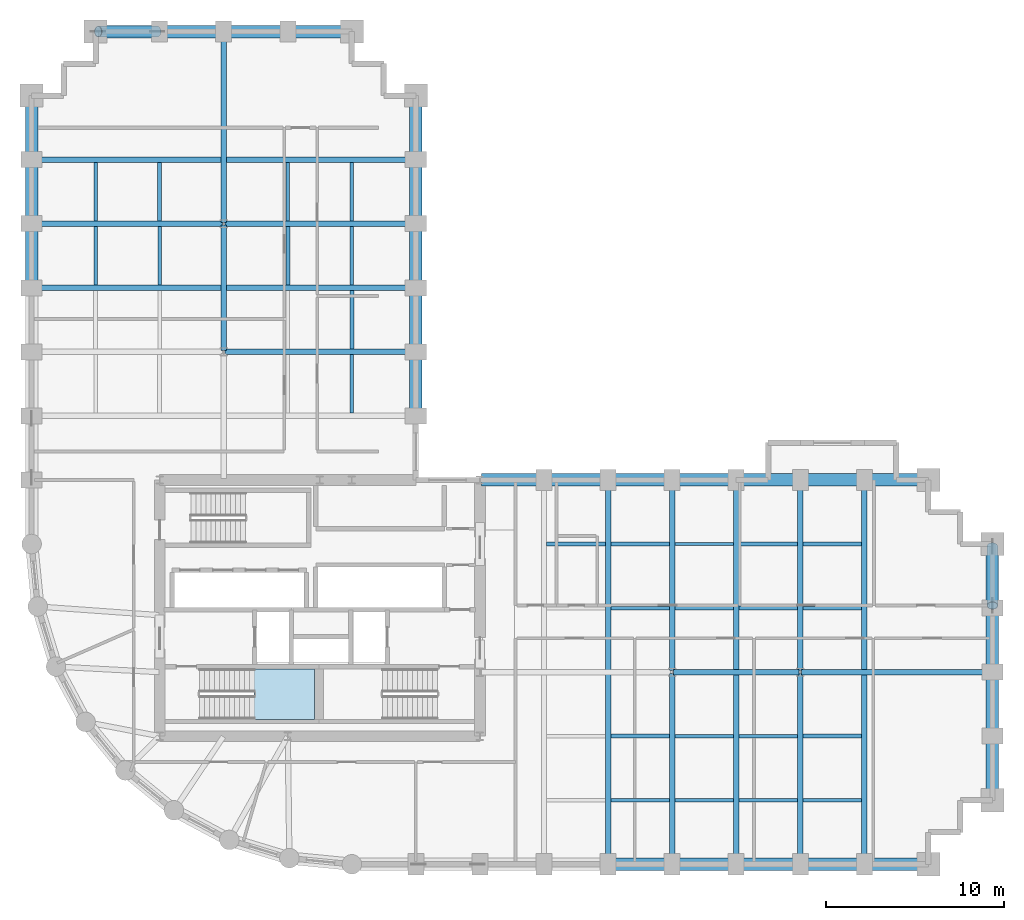
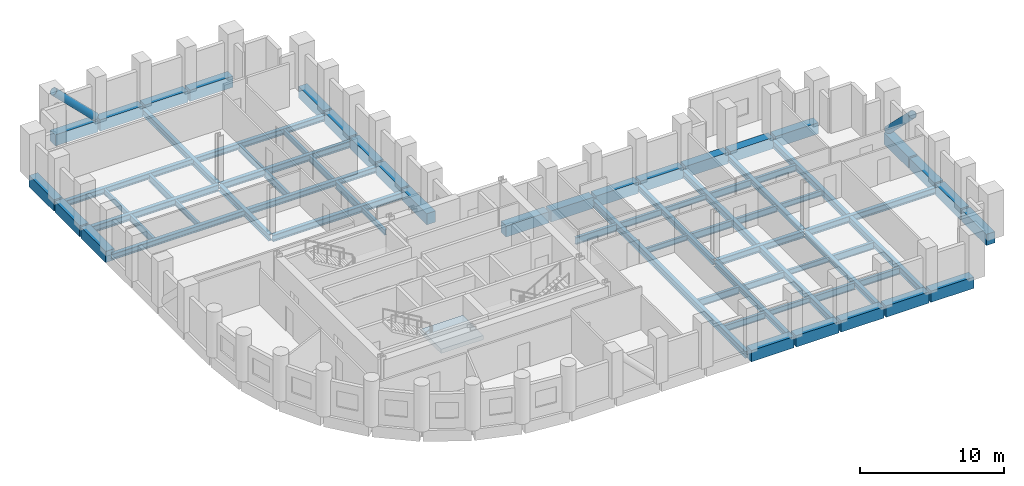
# One storey, part 2 of 8: 71 beams, 2 members, 1 slab, 1 element without a shape of its own.
"""IFC4 building model written with IfcOpenShell, lengths in metres."""

from ifc_helpers import new_model, si_unit, direction, frame, origin, origin_2d, place, context, subcontext, project, spatial, polyline, rectangle, hollow_circle, i_section, outline, extrude, material, layer, layer_set, material_profile, profile_set, type_object, element, aggregate, save


model = new_model("IFC4")

# Units and contexts
model_context = context("Model", 3, precision=1e-05, world=origin(), true_north=direction((0.0, 1.0)))
body_context = subcontext(model_context, "Body", "Model", "MODEL_VIEW")
ifc_project = project(units=[si_unit("LENGTHUNIT", "METRE"), si_unit("AREAUNIT", "SQUARE_METRE"), si_unit("VOLUMEUNIT", "CUBIC_METRE"), si_unit("PLANEANGLEUNIT", "RADIAN"), si_unit("MASSUNIT", "GRAM", prefix="KILO")], contexts=[model_context])

# Site, building, storey
site_placement = place(None, origin())
site = spatial("IfcSite", under=ifc_project, at=site_placement, CompositionType="ELEMENT")
building_placement = place(site_placement, origin())
building = spatial("IfcBuilding", under=site, at=building_placement, Name="Solnavia Interchange Tower", CompositionType="ELEMENT")
storey_placement = place(building_placement, frame((0.0, 0.0, 35.699951171875)))
storey = spatial("IfcBuildingStorey", under=building, at=storey_placement, Name="L08", CompositionType="ELEMENT", Elevation=35.699951171875)

# Beams
ifc_material_1 = material(Name="Steel S460", Category="steel")
ifc_material_profile_1 = material_profile(ifc_material_1, i_section(OverallWidth=0.300048828125, OverallDepth=0.550048828125, WebThickness=0.014892578125, FlangeThickness=0.029052734375, FilletRadius=0.027099609375, at=origin_2d()), Name="HEB 550")
ifc_profile_set_1 = profile_set([ifc_material_profile_1], Name="Steel S460")
beam_type_1 = type_object("IfcBeamType", Name="Beam-Girder-HEB550", PredefinedType="BEAM", material=ifc_profile_set_1)
beam_1_placement = place(storey_placement, frame((43.280029296875, 14.39990234375, -0.52490234375), z_axis=(1.0, 0.0, 0.0), x_axis=(0.0, 1.0, 0.0)))
element("IfcBeam", 1, at=beam_1_placement, inside=storey, type_object=beam_type_1, Name="GRD-L08-ES02 East wing spine girder", PredefinedType="BEAM", context=body_context, shape_type="SweptSolid", body=[
    extrude(i_section(OverallWidth=0.300048828125, OverallDepth=0.550048828125, WebThickness=0.014892578125, FlangeThickness=0.029052734375, FilletRadius=0.027099609375, at=origin_2d()), origin(), (0.0, 0.0, 1.0), 7.0400390625),
])
beam_2_placement = place(storey_placement, frame((50.47998046875, 14.39990234375, -0.52490234375), z_axis=(1.0, 0.0, 0.0), x_axis=(0.0, 1.0, 0.0)))
element("IfcBeam", 2, at=beam_2_placement, inside=storey, type_object=beam_type_1, Name="GRD-L08-ES03 East wing spine girder", PredefinedType="BEAM", context=body_context, shape_type="SweptSolid", body=[
    extrude(i_section(OverallWidth=0.300048828125, OverallDepth=0.550048828125, WebThickness=0.014892578125, FlangeThickness=0.029052734375, FilletRadius=0.027099609375, at=origin_2d()), origin(), (0.0, 0.0, 1.0), 10.64013671875),
])
beam_3_placement = place(storey_placement, frame((18.0, 32.47998046875, -0.52490234375), z_axis=(0.0, 1.0, 0.0), x_axis=(-1.0, 0.0, 0.0)))
element("IfcBeam", 3, at=beam_3_placement, inside=storey, type_object=beam_type_1, Name="GRD-L08-NS13 North wing spine girder", PredefinedType="BEAM", context=body_context, shape_type="SweptSolid", body=[
    extrude(i_section(OverallWidth=0.300048828125, OverallDepth=0.550048828125, WebThickness=0.014892578125, FlangeThickness=0.029052734375, FilletRadius=0.027099609375, at=origin_2d()), origin(), (0.0, 0.0, 1.0), 7.0400390625),
])
beam_4_placement = place(storey_placement, frame((18.0, 39.679931640625, -0.52490234375), z_axis=(0.0, 1.0, 0.0), x_axis=(-1.0, 0.0, 0.0)))
element("IfcBeam", 4, at=beam_4_placement, inside=storey, type_object=beam_type_1, Name="GRD-L08-NS14 North wing spine girder", PredefinedType="BEAM", context=body_context, shape_type="SweptSolid", body=[
    extrude(i_section(OverallWidth=0.300048828125, OverallDepth=0.550048828125, WebThickness=0.014892578125, FlangeThickness=0.029052734375, FilletRadius=0.027099609375, at=origin_2d()), origin(), (0.0, 0.0, 1.0), 10.64013671875),
])
for number, where, z_axis, x_axis, name in (
    (5, (18.080078125, 32.39990234375, -0.52490234375), (1.0, 0.0, 0.0), (0.0, 1.0, 0.0), "GRD-L08-NW17 North wing primary floor girder"),
    (6, (7.280029296875, 39.60009765625, -0.52490234375), (1.0, 0.0, 0.0), (0.0, 1.0, 0.0), "GRD-L08-NW19 North wing primary floor girder"),
    (7, (18.080078125, 39.60009765625, -0.52490234375), (1.0, 0.0, 0.0), (0.0, 1.0, 0.0), "GRD-L08-NW20 North wing primary floor girder"),
):
    element("IfcBeam", number, at=place(storey_placement, frame(where, z_axis=z_axis, x_axis=x_axis)), inside=storey, type_object=beam_type_1, Name=name, PredefinedType="BEAM", context=body_context, shape_type="SweptSolid", body=[
        extrude(i_section(OverallWidth=0.300048828125, OverallDepth=0.550048828125, WebThickness=0.014892578125, FlangeThickness=0.029052734375, FilletRadius=0.027099609375, at=origin_2d()), origin(), (0.0, 0.0, 1.0), 10.639892578125),
    ])
ifc_material_2 = material(Name="Steel S355", Category="steel")
ifc_material_profile_2 = material_profile(ifc_material_2, i_section(OverallWidth=0.18994140625, OverallDepth=0.449951171875, WebThickness=0.009521484375, FlangeThickness=0.0146484375, FilletRadius=0.02099609375, at=origin_2d()), Name="IPE 450")
ifc_profile_set_2 = profile_set([ifc_material_profile_2], Name="Steel S355")
beam_type_2 = type_object("IfcBeamType", Name="Beam-Joist-IPE450", PredefinedType="JOIST", material=ifc_profile_set_2)
beam_5_placement = place(storey_placement, frame((43.35009765625, 7.199951171875, -0.474853515625), z_axis=(1.0, 0.0, 0.0), x_axis=(0.0, 1.0, 0.0)))
element("IfcBeam", 8, at=beam_5_placement, inside=storey, type_object=beam_type_2, Name="JST-L08-E03 East wing secondary joist", PredefinedType="JOIST", context=body_context, shape_type="SweptSolid", body=[
    extrude(i_section(OverallWidth=0.18994140625, OverallDepth=0.449951171875, WebThickness=0.009521484375, FlangeThickness=0.0146484375, FilletRadius=0.02099609375, at=origin_2d()), origin(), (0.0, 0.0, 1.0), 3.2998046875),
])
for number, where, z_axis, x_axis, name in (
    (9, (46.949951171875, 10.800048828125, -0.474853515625), (1.0, 0.0, 0.0), (0.0, 1.0, 0.0), "JST-L08-E09 East wing secondary joist"),
    (10, (39.75, 18.0, -0.474853515625), (1.0, 0.0, 0.0), (0.0, 1.0, 0.0), "JST-L08-E12 East wing secondary joist"),
    (11, (50.550048828125, 18.0, -0.474853515625), (1.0, 0.0, 0.0), (0.0, 1.0, 0.0), "JST-L08-E15 East wing secondary joist"),
):
    element("IfcBeam", number, at=place(storey_placement, frame(where, z_axis=z_axis, x_axis=x_axis)), inside=storey, type_object=beam_type_2, Name=name, PredefinedType="JOIST", context=body_context, shape_type="SweptSolid", body=[
        extrude(i_section(OverallWidth=0.18994140625, OverallDepth=0.449951171875, WebThickness=0.009521484375, FlangeThickness=0.0146484375, FilletRadius=0.02099609375, at=origin_2d()), origin(), (0.0, 0.0, 1.0), 3.300048828125),
    ])
beam_6_placement = place(storey_placement, frame((43.35009765625, 21.60009765625, -0.474853515625), z_axis=(1.0, 0.0, 0.0), x_axis=(0.0, 1.0, 0.0)))
element("IfcBeam", 12, at=beam_6_placement, inside=storey, type_object=beam_type_2, Name="JST-L08-E18 East wing secondary joist", PredefinedType="JOIST", context=body_context, shape_type="SweptSolid", body=[
    extrude(i_section(OverallWidth=0.18994140625, OverallDepth=0.449951171875, WebThickness=0.009521484375, FlangeThickness=0.0146484375, FilletRadius=0.02099609375, at=origin_2d()), origin(), (0.0, 0.0, 1.0), 3.2998046875),
])
for number, where, z_axis, x_axis, name in (
    (13, (10.800048828125, 39.75, -0.474853515625), (0.0, 1.0, 0.0), (-1.0, 0.0, 0.0), "JST-L08-N24 North wing secondary joist"),
    (14, (14.39990234375, 36.14990234375, -0.474853515625), (0.0, 1.0, 0.0), (-1.0, 0.0, 0.0), "JST-L08-N27 North wing secondary joist"),
    (15, (25.199951171875, 28.949951171875, -0.474853515625), (0.0, 1.0, 0.0), (-1.0, 0.0, 0.0), "JST-L08-N33 North wing secondary joist"),
    (16, (25.199951171875, 39.75, -0.474853515625), (0.0, 1.0, 0.0), (-1.0, 0.0, 0.0), "JST-L08-N36 North wing secondary joist"),
):
    element("IfcBeam", number, at=place(storey_placement, frame(where, z_axis=z_axis, x_axis=x_axis)), inside=storey, type_object=beam_type_2, Name=name, PredefinedType="JOIST", context=body_context, shape_type="SweptSolid", body=[
        extrude(i_section(OverallWidth=0.18994140625, OverallDepth=0.449951171875, WebThickness=0.009521484375, FlangeThickness=0.0146484375, FilletRadius=0.02099609375, at=origin_2d()), origin(), (0.0, 0.0, 1.0), 3.300048828125),
    ])
ifc_material_profile_3 = material_profile(ifc_material_2, i_section(OverallWidth=0.2099609375, OverallDepth=0.550048828125, WebThickness=0.010986328125, FlangeThickness=0.01708984375, FilletRadius=0.02392578125, at=origin_2d()), Name="IPE 550")
ifc_profile_set_3 = profile_set([ifc_material_profile_3], Name="Steel S355")
beam_type_3 = type_object("IfcBeamType", Name="Beam-Joist-IPE550", PredefinedType="JOIST", material=ifc_profile_set_3)
for number, where, z_axis, x_axis, name in (
    (17, (39.75, 7.199951171875, -0.52490234375), (1.0, 0.0, 0.0), (0.0, 1.0, 0.0), "JST-L08-E02 East wing secondary joist"),
    (18, (50.550048828125, 7.199951171875, -0.52490234375), (1.0, 0.0, 0.0), (0.0, 1.0, 0.0), "JST-L08-E05 East wing secondary joist"),
):
    element("IfcBeam", number, at=place(storey_placement, frame(where, z_axis=z_axis, x_axis=x_axis)), inside=storey, type_object=beam_type_3, Name=name, PredefinedType="JOIST", context=body_context, shape_type="SweptSolid", body=[
        extrude(i_section(OverallWidth=0.2099609375, OverallDepth=0.550048828125, WebThickness=0.010986328125, FlangeThickness=0.01708984375, FilletRadius=0.02392578125, at=origin_2d()), origin(), (0.0, 0.0, 1.0), 3.300048828125),
    ])
beam_7_placement = place(storey_placement, frame((43.35009765625, 10.800048828125, -0.52490234375), z_axis=(1.0, 0.0, 0.0), x_axis=(0.0, 1.0, 0.0)))
element("IfcBeam", 19, at=beam_7_placement, inside=storey, type_object=beam_type_3, Name="JST-L08-E08 East wing secondary joist", PredefinedType="JOIST", context=body_context, shape_type="SweptSolid", body=[
    extrude(i_section(OverallWidth=0.2099609375, OverallDepth=0.550048828125, WebThickness=0.010986328125, FlangeThickness=0.01708984375, FilletRadius=0.02392578125, at=origin_2d()), origin(), (0.0, 0.0, 1.0), 3.2998046875),
])
for number, where, z_axis, x_axis, name in (
    (20, (46.949951171875, 18.0, -0.52490234375), (1.0, 0.0, 0.0), (0.0, 1.0, 0.0), "JST-L08-E14 East wing secondary joist"),
    (21, (39.75, 21.60009765625, -0.52490234375), (1.0, 0.0, 0.0), (0.0, 1.0, 0.0), "JST-L08-E17 East wing secondary joist"),
    (22, (50.550048828125, 21.60009765625, -0.52490234375), (1.0, 0.0, 0.0), (0.0, 1.0, 0.0), "JST-L08-E20 East wing secondary joist"),
    (23, (10.800048828125, 36.14990234375, -0.52490234375), (0.0, 1.0, 0.0), (-1.0, 0.0, 0.0), "JST-L08-N23 North wing secondary joist"),
    (24, (21.60009765625, 39.75, -0.52490234375), (0.0, 1.0, 0.0), (-1.0, 0.0, 0.0), "JST-L08-N32 North wing secondary joist"),
    (25, (25.199951171875, 36.14990234375, -0.52490234375), (0.0, 1.0, 0.0), (-1.0, 0.0, 0.0), "JST-L08-N35 North wing secondary joist"),
):
    element("IfcBeam", number, at=place(storey_placement, frame(where, z_axis=z_axis, x_axis=x_axis)), inside=storey, type_object=beam_type_3, Name=name, PredefinedType="JOIST", context=body_context, shape_type="SweptSolid", body=[
        extrude(i_section(OverallWidth=0.2099609375, OverallDepth=0.550048828125, WebThickness=0.010986328125, FlangeThickness=0.01708984375, FilletRadius=0.02392578125, at=origin_2d()), origin(), (0.0, 0.0, 1.0), 3.300048828125),
    ])
ifc_material_profile_4 = material_profile(ifc_material_2, i_section(OverallWidth=0.219970703125, OverallDepth=0.60009765625, WebThickness=0.011962890625, FlangeThickness=0.01904296875, FilletRadius=0.02392578125, at=origin_2d()), Name="IPE 600")
ifc_profile_set_4 = profile_set([ifc_material_profile_4], Name="Steel S355")
beam_type_4 = type_object("IfcBeamType", Name="Beam-Joist-IPE600", PredefinedType="JOIST", material=ifc_profile_set_4)
for number, where, z_axis, x_axis, name in (
    (26, (46.949951171875, 7.199951171875, -0.550048828125), (1.0, 0.0, 0.0), (0.0, 1.0, 0.0), "JST-L08-E04 East wing secondary joist"),
    (27, (39.75, 10.800048828125, -0.550048828125), (1.0, 0.0, 0.0), (0.0, 1.0, 0.0), "JST-L08-E07 East wing secondary joist"),
    (28, (50.550048828125, 10.800048828125, -0.550048828125), (1.0, 0.0, 0.0), (0.0, 1.0, 0.0), "JST-L08-E10 East wing secondary joist"),
):
    element("IfcBeam", number, at=place(storey_placement, frame(where, z_axis=z_axis, x_axis=x_axis)), inside=storey, type_object=beam_type_4, Name=name, PredefinedType="JOIST", context=body_context, shape_type="SweptSolid", body=[
        extrude(i_section(OverallWidth=0.219970703125, OverallDepth=0.60009765625, WebThickness=0.011962890625, FlangeThickness=0.01904296875, FilletRadius=0.02392578125, at=origin_2d()), origin(), (0.0, 0.0, 1.0), 3.300048828125),
    ])
beam_8_placement = place(storey_placement, frame((43.35009765625, 18.0, -0.550048828125), z_axis=(1.0, 0.0, 0.0), x_axis=(0.0, 1.0, 0.0)))
element("IfcBeam", 29, at=beam_8_placement, inside=storey, type_object=beam_type_4, Name="JST-L08-E13 East wing secondary joist", PredefinedType="JOIST", context=body_context, shape_type="SweptSolid", body=[
    extrude(i_section(OverallWidth=0.219970703125, OverallDepth=0.60009765625, WebThickness=0.011962890625, FlangeThickness=0.01904296875, FilletRadius=0.02392578125, at=origin_2d()), origin(), (0.0, 0.0, 1.0), 3.2998046875),
])
for number, where, z_axis, x_axis, name in (
    (30, (36.14990234375, 21.60009765625, -0.550048828125), (1.0, 0.0, 0.0), (0.0, 1.0, 0.0), "JST-L08-E16 East wing secondary joist"),
    (31, (46.949951171875, 21.60009765625, -0.550048828125), (1.0, 0.0, 0.0), (0.0, 1.0, 0.0), "JST-L08-E19 East wing secondary joist"),
    (32, (14.39990234375, 39.75, -0.550048828125), (0.0, 1.0, 0.0), (-1.0, 0.0, 0.0), "JST-L08-N28 North wing secondary joist"),
    (33, (21.60009765625, 36.14990234375, -0.550048828125), (0.0, 1.0, 0.0), (-1.0, 0.0, 0.0), "JST-L08-N31 North wing secondary joist"),
    (34, (25.199951171875, 32.550048828125, -0.550048828125), (0.0, 1.0, 0.0), (-1.0, 0.0, 0.0), "JST-L08-N34 North wing secondary joist"),
):
    element("IfcBeam", number, at=place(storey_placement, frame(where, z_axis=z_axis, x_axis=x_axis)), inside=storey, type_object=beam_type_4, Name=name, PredefinedType="JOIST", context=body_context, shape_type="SweptSolid", body=[
        extrude(i_section(OverallWidth=0.219970703125, OverallDepth=0.60009765625, WebThickness=0.011962890625, FlangeThickness=0.01904296875, FilletRadius=0.02392578125, at=origin_2d()), origin(), (0.0, 0.0, 1.0), 3.300048828125),
    ])
ifc_material_profile_5 = material_profile(ifc_material_2, i_section(OverallWidth=0.300048828125, OverallDepth=0.489990234375, WebThickness=0.011962890625, FlangeThickness=0.02294921875, FilletRadius=0.027099609375, at=origin_2d()), Name="HEA 500")
ifc_profile_set_5 = profile_set([ifc_material_profile_5], Name="Steel S355")
beam_type_5 = type_object("IfcBeamType", Name="Beam-Primary-HEA500", PredefinedType="BEAM", material=ifc_profile_set_5)
for number, where, z_axis, x_axis, name in (
    (35, (43.199951171875, 3.679931640625, -0.494873046875), (0.0, 1.0, 0.0), (-1.0, 0.0, 0.0), "GRD-L08-EW06 East wing primary floor girder"),
    (36, (43.199951171875, 14.47998046875, -0.494873046875), (0.0, 1.0, 0.0), (-1.0, 0.0, 0.0), "GRD-L08-EW07 East wing primary floor girder"),
    (37, (50.39990234375, 3.679931640625, -0.494873046875), (0.0, 1.0, 0.0), (-1.0, 0.0, 0.0), "GRD-L08-EW09 East wing primary floor girder"),
    (38, (50.39990234375, 14.47998046875, -0.494873046875), (0.0, 1.0, 0.0), (-1.0, 0.0, 0.0), "GRD-L08-EW10 East wing primary floor girder"),
):
    element("IfcBeam", number, at=place(storey_placement, frame(where, z_axis=z_axis, x_axis=x_axis)), inside=storey, type_object=beam_type_5, Name=name, PredefinedType="BEAM", context=body_context, shape_type="SweptSolid", body=[
        extrude(i_section(OverallWidth=0.300048828125, OverallDepth=0.489990234375, WebThickness=0.011962890625, FlangeThickness=0.02294921875, FilletRadius=0.027099609375, at=origin_2d()), origin(), (0.0, 0.0, 1.0), 10.64013671875),
    ])
for number, where, z_axis, x_axis, name in (
    (39, (7.280029296875, 36.0, -0.494873046875), (1.0, 0.0, 0.0), (0.0, 1.0, 0.0), "GRD-L08-NW18 North wing primary floor girder"),
    (40, (7.280029296875, 43.199951171875, -0.494873046875), (1.0, 0.0, 0.0), (0.0, 1.0, 0.0), "GRD-L08-NW21 North wing primary floor girder"),
):
    element("IfcBeam", number, at=place(storey_placement, frame(where, z_axis=z_axis, x_axis=x_axis)), inside=storey, type_object=beam_type_5, Name=name, PredefinedType="BEAM", context=body_context, shape_type="SweptSolid", body=[
        extrude(i_section(OverallWidth=0.300048828125, OverallDepth=0.489990234375, WebThickness=0.011962890625, FlangeThickness=0.02294921875, FilletRadius=0.027099609375, at=origin_2d()), origin(), (0.0, 0.0, 1.0), 21.43994140625),
    ])
ifc_material_profile_6 = material_profile(ifc_material_2, i_section(OverallWidth=0.300048828125, OverallDepth=0.590087890625, WebThickness=0.012939453125, FlangeThickness=0.02490234375, FilletRadius=0.027099609375, at=origin_2d()), Name="HEA 600")
ifc_profile_set_6 = profile_set([ifc_material_profile_6], Name="Steel S355")
beam_type_6 = type_object("IfcBeamType", Name="Beam-Primary-HEA600", PredefinedType="BEAM", material=ifc_profile_set_6)
for number, where, z_axis, x_axis, name in (
    (41, (39.60009765625, 3.679931640625, -0.544921875), (0.0, 1.0, 0.0), (-1.0, 0.0, 0.0), "GRD-L08-EW05 East wing primary floor girder"),
    (42, (46.800048828125, 3.679931640625, -0.544921875), (0.0, 1.0, 0.0), (-1.0, 0.0, 0.0), "GRD-L08-EW08 East wing primary floor girder"),
    (43, (54.0, 3.679931640625, -0.544921875), (0.0, 1.0, 0.0), (-1.0, 0.0, 0.0), "GRD-L08-EW11 East wing primary floor girder"),
):
    element("IfcBeam", number, at=place(storey_placement, frame(where, z_axis=z_axis, x_axis=x_axis)), inside=storey, type_object=beam_type_6, Name=name, PredefinedType="BEAM", context=body_context, shape_type="SweptSolid", body=[
        extrude(i_section(OverallWidth=0.300048828125, OverallDepth=0.590087890625, WebThickness=0.012939453125, FlangeThickness=0.02490234375, FilletRadius=0.027099609375, at=origin_2d()), origin(), (0.0, 0.0, 1.0), 21.440185546875),
    ])
ifc_material_3 = material(Name="Concrete C50/60", Category="concrete")
ifc_material_profile_7 = material_profile(ifc_material_3, rectangle(XDim=0.699951171875, YDim=0.949951171875, at=origin_2d()), Name="RC 700x950")
ifc_profile_set_7 = profile_set([ifc_material_profile_7], Name="Concrete C50/60")
beam_type_7 = type_object("IfcBeamType", Name="Beam-Spandrel-RC700x950", PredefinedType="SPANDREL", material=ifc_profile_set_7)
beam_9_placement = place(storey_placement, frame((39.679931640625, 3.60009765625, -0.474853515625), z_axis=(1.0, 0.0, 0.0), x_axis=(0.0, 1.0, 0.0)))
element("IfcBeam", 44, at=beam_9_placement, inside=storey, type_object=beam_type_7, Name="SPB-L08-13 Framed-tube perimeter spandrel beam", PredefinedType="SPANDREL", context=body_context, shape_type="SweptSolid", body=[
    extrude(rectangle(XDim=0.699951171875, YDim=0.949951171875, at=origin_2d()), origin(), (0.0, 0.0, 1.0), 3.440185546875),
])
beam_10_placement = place(storey_placement, frame((43.280029296875, 3.60009765625, -0.474853515625), z_axis=(1.0, 0.0, 0.0), x_axis=(0.0, 1.0, 0.0)))
element("IfcBeam", 45, at=beam_10_placement, inside=storey, type_object=beam_type_7, Name="SPB-L08-14 Framed-tube perimeter spandrel beam", PredefinedType="SPANDREL", context=body_context, shape_type="SweptSolid", body=[
    extrude(rectangle(XDim=0.699951171875, YDim=0.949951171875, at=origin_2d()), origin(), (0.0, 0.0, 1.0), 3.43994140625),
])
beam_11_placement = place(storey_placement, frame((46.8798828125, 3.60009765625, -0.474853515625), z_axis=(1.0, 0.0, 0.0), x_axis=(0.0, 1.0, 0.0)))
element("IfcBeam", 46, at=beam_11_placement, inside=storey, type_object=beam_type_7, Name="SPB-L08-15 Framed-tube perimeter spandrel beam", PredefinedType="SPANDREL", context=body_context, shape_type="SweptSolid", body=[
    extrude(rectangle(XDim=0.699951171875, YDim=0.949951171875, at=origin_2d()), origin(), (0.0, 0.0, 1.0), 3.440185546875),
])
for number, where, z_axis, x_axis, name in (
    (47, (50.47998046875, 3.60009765625, -0.474853515625), (1.0, 0.0, 0.0), (0.0, 1.0, 0.0), "SPB-L08-16 Framed-tube perimeter spandrel beam"),
    (48, (54.080078125, 3.60009765625, -0.474853515625), (1.0, 0.0, 0.0), (0.0, 1.0, 0.0), "SPB-L08-17 Framed-tube perimeter spandrel beam"),
    (49, (61.199951171875, 7.280029296875, -0.474853515625), (0.0, 1.0, 0.0), (-1.0, 0.0, 0.0), "SPB-L08-18 Framed-tube perimeter spandrel beam"),
):
    element("IfcBeam", number, at=place(storey_placement, frame(where, z_axis=z_axis, x_axis=x_axis)), inside=storey, type_object=beam_type_7, Name=name, PredefinedType="SPANDREL", context=body_context, shape_type="SweptSolid", body=[
        extrude(rectangle(XDim=0.699951171875, YDim=0.949951171875, at=origin_2d()), origin(), (0.0, 0.0, 1.0), 3.43994140625),
    ])
beam_12_placement = place(storey_placement, frame((61.199951171875, 10.8798828125, -0.474853515625), z_axis=(0.0, 1.0, 0.0), x_axis=(-1.0, 0.0, 0.0)))
element("IfcBeam", 50, at=beam_12_placement, inside=storey, type_object=beam_type_7, Name="SPB-L08-19 Framed-tube perimeter spandrel beam", PredefinedType="SPANDREL", context=body_context, shape_type="SweptSolid", body=[
    extrude(rectangle(XDim=0.699951171875, YDim=0.949951171875, at=origin_2d()), origin(), (0.0, 0.0, 1.0), 3.440185546875),
])
for number, where, z_axis, x_axis, name in (
    (51, (61.199951171875, 14.47998046875, -0.474853515625), (0.0, 1.0, 0.0), (-1.0, 0.0, 0.0), "SPB-L08-20 Framed-tube perimeter spandrel beam"),
    (52, (61.199951171875, 18.080078125, -0.474853515625), (0.0, 1.0, 0.0), (-1.0, 0.0, 0.0), "SPB-L08-21 Framed-tube perimeter spandrel beam"),
    (53, (57.52001953125, 25.199951171875, -0.474853515625), (-1.0, 0.0, 0.0), (0.0, -1.0, 0.0), "SPB-L08-22 Framed-tube perimeter spandrel beam"),
    (54, (53.919921875, 25.199951171875, -0.474853515625), (-1.0, 0.0, 0.0), (0.0, -1.0, 0.0), "SPB-L08-23 Framed-tube perimeter spandrel beam"),
):
    element("IfcBeam", number, at=place(storey_placement, frame(where, z_axis=z_axis, x_axis=x_axis)), inside=storey, type_object=beam_type_7, Name=name, PredefinedType="SPANDREL", context=body_context, shape_type="SweptSolid", body=[
        extrude(rectangle(XDim=0.699951171875, YDim=0.949951171875, at=origin_2d()), origin(), (0.0, 0.0, 1.0), 3.43994140625),
    ])
beam_13_placement = place(storey_placement, frame((50.320068359375, 25.199951171875, -0.474853515625), z_axis=(-1.0, 0.0, 0.0), x_axis=(0.0, -1.0, 0.0)))
element("IfcBeam", 55, at=beam_13_placement, inside=storey, type_object=beam_type_7, Name="SPB-L08-24 Framed-tube perimeter spandrel beam", PredefinedType="SPANDREL", context=body_context, shape_type="SweptSolid", body=[
    extrude(rectangle(XDim=0.699951171875, YDim=0.949951171875, at=origin_2d()), origin(), (0.0, 0.0, 1.0), 3.440185546875),
])
beam_14_placement = place(storey_placement, frame((46.719970703125, 25.199951171875, -0.474853515625), z_axis=(-1.0, 0.0, 0.0), x_axis=(0.0, -1.0, 0.0)))
element("IfcBeam", 56, at=beam_14_placement, inside=storey, type_object=beam_type_7, Name="SPB-L08-25 Framed-tube perimeter spandrel beam", PredefinedType="SPANDREL", context=body_context, shape_type="SweptSolid", body=[
    extrude(rectangle(XDim=0.699951171875, YDim=0.949951171875, at=origin_2d()), origin(), (0.0, 0.0, 1.0), 3.43994140625),
])
beam_15_placement = place(storey_placement, frame((43.1201171875, 25.199951171875, -0.474853515625), z_axis=(-1.0, 0.0, 0.0), x_axis=(0.0, -1.0, 0.0)))
element("IfcBeam", 57, at=beam_15_placement, inside=storey, type_object=beam_type_7, Name="SPB-L08-26 Framed-tube perimeter spandrel beam", PredefinedType="SPANDREL", context=body_context, shape_type="SweptSolid", body=[
    extrude(rectangle(XDim=0.699951171875, YDim=0.949951171875, at=origin_2d()), origin(), (0.0, 0.0, 1.0), 3.440185546875),
])
for number, where, z_axis, x_axis, name in (
    (58, (39.52001953125, 25.199951171875, -0.474853515625), (-1.0, 0.0, 0.0), (0.0, -1.0, 0.0), "SPB-L08-27 Framed-tube perimeter spandrel beam"),
    (59, (35.919921875, 25.199951171875, -0.474853515625), (-1.0, 0.0, 0.0), (0.0, -1.0, 0.0), "SPB-L08-28 Framed-tube perimeter spandrel beam"),
):
    element("IfcBeam", number, at=place(storey_placement, frame(where, z_axis=z_axis, x_axis=x_axis)), inside=storey, type_object=beam_type_7, Name=name, PredefinedType="SPANDREL", context=body_context, shape_type="SweptSolid", body=[
        extrude(rectangle(XDim=0.699951171875, YDim=0.949951171875, at=origin_2d()), origin(), (0.0, 0.0, 1.0), 3.43994140625),
    ])
beam_16_placement = place(storey_placement, frame((28.800048828125, 28.8798828125, -0.474853515625), z_axis=(0.0, 1.0, 0.0), x_axis=(-1.0, 0.0, 0.0)))
element("IfcBeam", 60, at=beam_16_placement, inside=storey, type_object=beam_type_7, Name="SPB-L08-29 Framed-tube perimeter spandrel beam", PredefinedType="SPANDREL", context=body_context, shape_type="SweptSolid", body=[
    extrude(rectangle(XDim=0.699951171875, YDim=0.949951171875, at=origin_2d()), origin(), (0.0, 0.0, 1.0), 3.440185546875),
])
for number, where, z_axis, x_axis, name in (
    (61, (28.800048828125, 32.47998046875, -0.474853515625), (0.0, 1.0, 0.0), (-1.0, 0.0, 0.0), "SPB-L08-30 Framed-tube perimeter spandrel beam"),
    (62, (28.800048828125, 36.080078125, -0.474853515625), (0.0, 1.0, 0.0), (-1.0, 0.0, 0.0), "SPB-L08-31 Framed-tube perimeter spandrel beam"),
):
    element("IfcBeam", number, at=place(storey_placement, frame(where, z_axis=z_axis, x_axis=x_axis)), inside=storey, type_object=beam_type_7, Name=name, PredefinedType="SPANDREL", context=body_context, shape_type="SweptSolid", body=[
        extrude(rectangle(XDim=0.699951171875, YDim=0.949951171875, at=origin_2d()), origin(), (0.0, 0.0, 1.0), 3.43994140625),
    ])
beam_17_placement = place(storey_placement, frame((28.800048828125, 39.679931640625, -0.474853515625), z_axis=(0.0, 1.0, 0.0), x_axis=(-1.0, 0.0, 0.0)))
element("IfcBeam", 63, at=beam_17_placement, inside=storey, type_object=beam_type_7, Name="SPB-L08-32 Framed-tube perimeter spandrel beam", PredefinedType="SPANDREL", context=body_context, shape_type="SweptSolid", body=[
    extrude(rectangle(XDim=0.699951171875, YDim=0.949951171875, at=origin_2d()), origin(), (0.0, 0.0, 1.0), 3.440185546875),
])
beam_18_placement = place(storey_placement, frame((28.800048828125, 43.280029296875, -0.474853515625), z_axis=(0.0, 1.0, 0.0), x_axis=(-1.0, 0.0, 0.0)))
element("IfcBeam", 64, at=beam_18_placement, inside=storey, type_object=beam_type_7, Name="SPB-L08-33 Framed-tube perimeter spandrel beam", PredefinedType="SPANDREL", context=body_context, shape_type="SweptSolid", body=[
    extrude(rectangle(XDim=0.699951171875, YDim=0.949951171875, at=origin_2d()), origin(), (0.0, 0.0, 1.0), 3.43994140625),
])
beam_19_placement = place(storey_placement, frame((25.1201171875, 50.39990234375, -0.474853515625), z_axis=(-1.0, 0.0, 0.0), x_axis=(0.0, -1.0, 0.0)))
element("IfcBeam", 65, at=beam_19_placement, inside=storey, type_object=beam_type_7, Name="SPB-L08-34 Framed-tube perimeter spandrel beam", PredefinedType="SPANDREL", context=body_context, shape_type="SweptSolid", body=[
    extrude(rectangle(XDim=0.699951171875, YDim=0.949951171875, at=origin_2d()), origin(), (0.0, 0.0, 1.0), 3.440185546875),
])
for number, where, z_axis, x_axis, name in (
    (66, (21.52001953125, 50.39990234375, -0.474853515625), (-1.0, 0.0, 0.0), (0.0, -1.0, 0.0), "SPB-L08-35 Framed-tube perimeter spandrel beam"),
    (67, (17.919921875, 50.39990234375, -0.474853515625), (-1.0, 0.0, 0.0), (0.0, -1.0, 0.0), "SPB-L08-36 Framed-tube perimeter spandrel beam"),
):
    element("IfcBeam", number, at=place(storey_placement, frame(where, z_axis=z_axis, x_axis=x_axis)), inside=storey, type_object=beam_type_7, Name=name, PredefinedType="SPANDREL", context=body_context, shape_type="SweptSolid", body=[
        extrude(rectangle(XDim=0.699951171875, YDim=0.949951171875, at=origin_2d()), origin(), (0.0, 0.0, 1.0), 3.43994140625),
    ])
beam_20_placement = place(storey_placement, frame((14.320068359375, 50.39990234375, -0.474853515625), z_axis=(-1.0, 0.0, 0.0), x_axis=(0.0, -1.0, 0.0)))
element("IfcBeam", 68, at=beam_20_placement, inside=storey, type_object=beam_type_7, Name="SPB-L08-37 Framed-tube perimeter spandrel beam", PredefinedType="SPANDREL", context=body_context, shape_type="SweptSolid", body=[
    extrude(rectangle(XDim=0.699951171875, YDim=0.949951171875, at=origin_2d()), origin(), (0.0, 0.0, 1.0), 3.440185546875),
])
beam_21_placement = place(storey_placement, frame((7.199951171875, 46.719970703125, -0.474853515625), z_axis=(0.0, -1.0, 0.0), x_axis=(1.0, 0.0, 0.0)))
element("IfcBeam", 69, at=beam_21_placement, inside=storey, type_object=beam_type_7, Name="SPB-L08-38 Framed-tube perimeter spandrel beam", PredefinedType="SPANDREL", context=body_context, shape_type="SweptSolid", body=[
    extrude(rectangle(XDim=0.699951171875, YDim=0.949951171875, at=origin_2d()), origin(), (0.0, 0.0, 1.0), 3.43994140625),
])
beam_22_placement = place(storey_placement, frame((7.199951171875, 43.1201171875, -0.474853515625), z_axis=(0.0, -1.0, 0.0), x_axis=(1.0, 0.0, 0.0)))
element("IfcBeam", 70, at=beam_22_placement, inside=storey, type_object=beam_type_7, Name="SPB-L08-39 Framed-tube perimeter spandrel beam", PredefinedType="SPANDREL", context=body_context, shape_type="SweptSolid", body=[
    extrude(rectangle(XDim=0.699951171875, YDim=0.949951171875, at=origin_2d()), origin(), (0.0, 0.0, 1.0), 3.440185546875),
])
beam_23_placement = place(storey_placement, frame((7.199951171875, 39.52001953125, -0.474853515625), z_axis=(0.0, -1.0, 0.0), x_axis=(1.0, 0.0, 0.0)))
element("IfcBeam", 71, at=beam_23_placement, inside=storey, type_object=beam_type_7, Name="SPB-L08-40 Framed-tube perimeter spandrel beam", PredefinedType="SPANDREL", context=body_context, shape_type="SweptSolid", body=[
    extrude(rectangle(XDim=0.699951171875, YDim=0.949951171875, at=origin_2d()), origin(), (0.0, 0.0, 1.0), 3.43994140625),
])

# Members
ifc_material_profile_8 = material_profile(ifc_material_1, hollow_circle(Radius=0.304931640625, WallThickness=0.02490234375, at=origin_2d()), Name="CHS 610x25")
ifc_profile_set_8 = profile_set([ifc_material_profile_8], Name="Steel S460")
member_type = type_object("IfcMemberType", Name="Brace-Perim-CHS610", PredefinedType="BRACE", material=ifc_profile_set_8)
for number, where, z_axis, x_axis, name in (
    (72, (61.199951171875, 21.4599609375, 0.179931640625), (0.0, -0.710311792477, 0.703887176661), (1.0, 0.0, 0.0), "BRC-L08-03 Perimeter tube diagonal brace"),
    (73, (14.260009765625, 50.39990234375, 0.179931640625), (-0.710311792477, 0.0, 0.703887176661), (0.0, -1.0, 0.0), "BRC-L08-04 Perimeter tube diagonal brace"),
):
    element("IfcMember", number, at=place(storey_placement, frame(where, z_axis=z_axis, x_axis=x_axis)), inside=storey, type_object=member_type, Name=name, PredefinedType="BRACE", context=body_context, shape_type="SweptSolid", body=[
        extrude(hollow_circle(Radius=0.304931640625, WallThickness=0.02490234375, at=origin_2d()), origin(), (0.0, 0.0, 1.0), 4.674072265625),
    ])

# Stair, slab
ifc_material_4 = material(Name="Concrete C40/50", Category="concrete")
stair_type = type_object("IfcStairType", Name="Stair-Dogleg-RC", PredefinedType="HALF_TURN_STAIR", material=ifc_material_4)
stair_placement = place(storey_placement, origin())
stair = element("IfcStair", 74, at=stair_placement, inside=storey, type_object=stair_type, Name="L08 Core exit stair 1", PredefinedType="HALF_TURN_STAIR")
ifc_layer = layer(ifc_material_4, 0.35009765625)
ifc_layer_set = layer_set([ifc_layer], Name="Concrete C40/50")
slab_type = type_object("IfcSlabType", Name="Slab-StairLanding-350", PredefinedType="LANDING", material=ifc_layer_set)
slab_placement = place(storey_placement, frame((0.0, 0.0, 1.60009765625)))
slab = element("IfcSlab", 75, at=slab_placement, type_object=slab_type, Name="ST-1 landing 1", PredefinedType="LANDING", context=body_context, shape_type="SweptSolid", body=[
    extrude(outline(polyline([(19.7080078125, 11.75), (23.10009765625, 11.75), (23.10009765625, 14.590087890625), (19.7080078125, 14.590087890625), (19.7080078125, 11.75)])), origin(), (0.0, 0.0, 1.0), 0.349853515625),
])
aggregate(stair, [slab])

save(model, "model.ifc")
